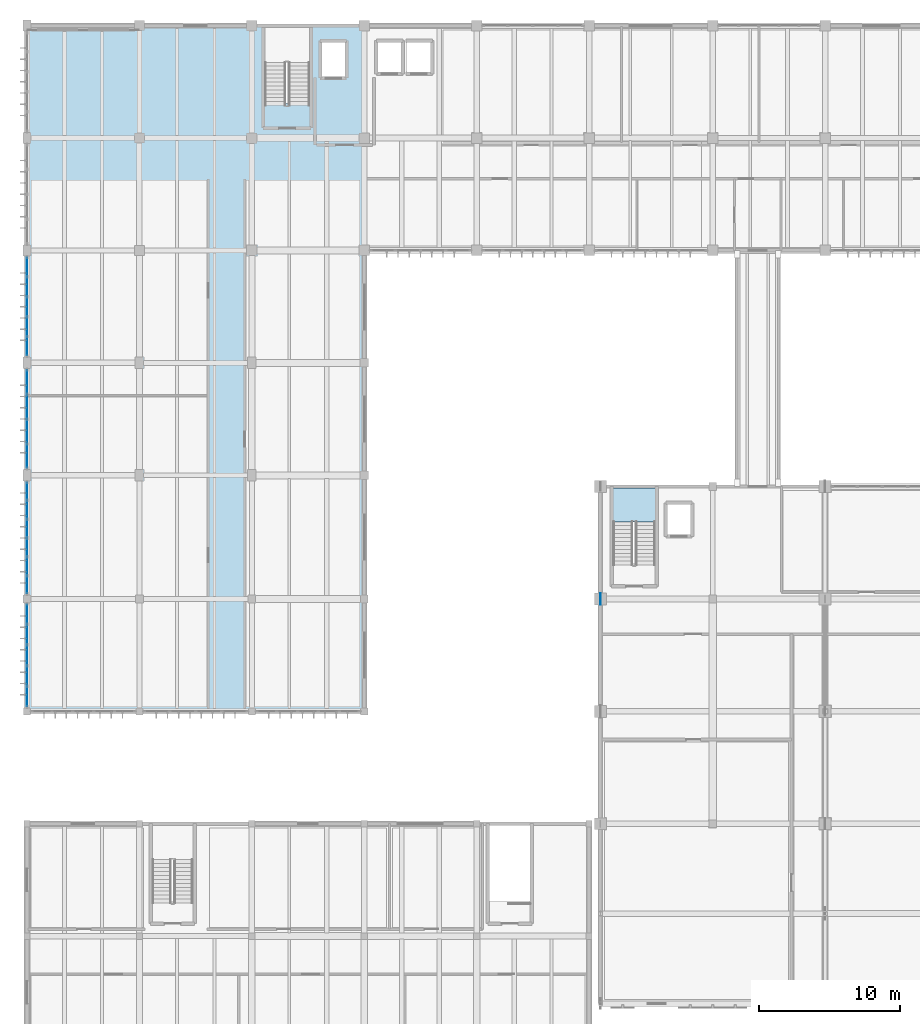
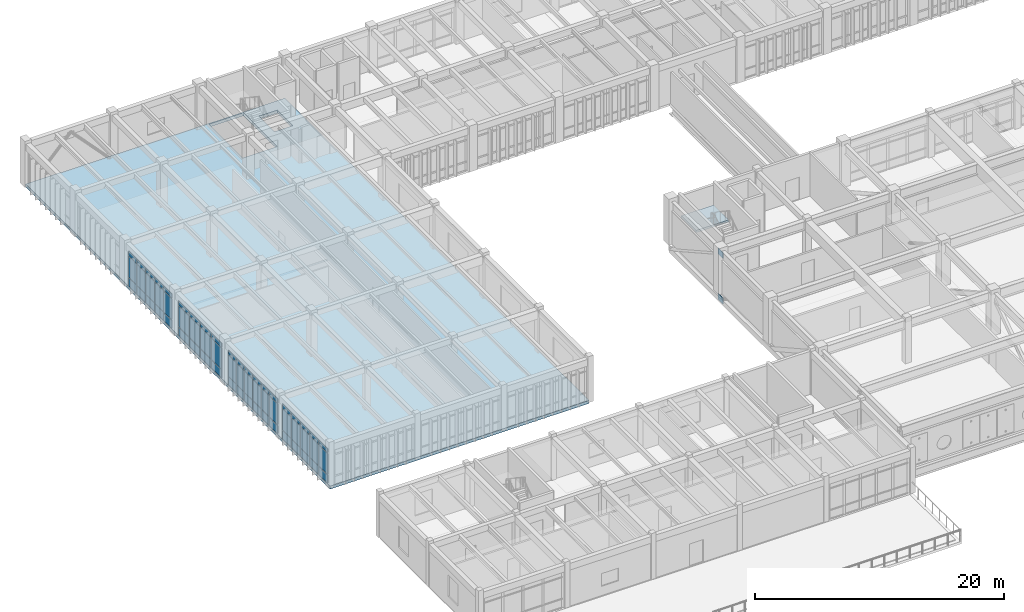
# One storey, part 36 of 79: 62 plates, 2 slabs, 5 elements without a shape of their own.
"""IFC4 building model written with IfcOpenShell, lengths in metres."""

from ifc_helpers import new_model, si_unit, direction, frame, origin, origin_2d, place, context, subcontext, project, spatial, polyline, rectangle, outline, extrude, material, layer, layer_set, type_object, element, aggregate, save


model = new_model("IFC4")

# Units and contexts
model_context = context("Model", 3, precision=1e-05, world=origin(), true_north=direction((0.0, 1.0)))
body_context = subcontext(model_context, "Body", "Model", "MODEL_VIEW")
ifc_project = project(units=[si_unit("LENGTHUNIT", "METRE"), si_unit("AREAUNIT", "SQUARE_METRE"), si_unit("VOLUMEUNIT", "CUBIC_METRE"), si_unit("PLANEANGLEUNIT", "RADIAN"), si_unit("MASSUNIT", "GRAM", prefix="KILO")], contexts=[model_context])

# Site, building, storey
site_placement = place(None, origin())
site = spatial("IfcSite", under=ifc_project, at=site_placement, CompositionType="ELEMENT")
building_placement = place(site_placement, origin())
building = spatial("IfcBuilding", under=site, at=building_placement, Name="Tlaxcora Railside Police Headquarters", CompositionType="ELEMENT")
storey_placement = place(building_placement, frame((0.0, 0.0, 9.0)))
storey = spatial("IfcBuildingStorey", under=building, at=storey_placement, Name="L02", CompositionType="ELEMENT", Elevation=9.0)

# Curtain wall, plates
ifc_material_1 = material(Name="Thermally broken low-E insulated glazing", Category="glass")
curtain_wall_type_1 = type_object("IfcCurtainWallType", Name="Unitised Curtain Wall Assembly CW-23", PredefinedType="NOTDEFINED", material=ifc_material_1)
curtain_wall_1_placement = place(storey_placement, origin())
curtain_wall_1 = element("IfcCurtainWall", 1, at=curtain_wall_1_placement, inside=storey, type_object=curtain_wall_type_1, Name="V5 L02 curtain wall 68", PredefinedType="NOTDEFINED")
ifc_layer_1 = layer(ifc_material_1, 0.0400390625, Name="Thermally broken low-E insulated glazing")
ifc_layer_set_1 = layer_set([ifc_layer_1], Name="Thermally broken low-E insulated glazing")
plate_type_1 = type_object("IfcPlateType", Name="Curtain Wall Infill Panel CW-17", PredefinedType="CURTAIN_PANEL", material=ifc_layer_set_1)
plate_1_placement = place(storey_placement, frame((5.199951171875, 59.6611328125, 0.080078125), z_axis=(0.0, 0.0, 1.0), x_axis=(0.0, -1.0, 0.0)))
plate_1 = element("IfcPlate", 2, at=plate_1_placement, type_object=plate_type_1, Name="CW panel 1.1", PredefinedType="CURTAIN_PANEL", context=body_context, shape_type="SweptSolid", body=[
    extrude(rectangle(XDim=1.217529296875, YDim=0.0400390625, at=origin_2d()), origin(), (0.0, 0.0, 1.0), 0.780029296875),
])
plate_2_placement = place(storey_placement, frame((5.199951171875, 59.6611328125, 0.93994140625), z_axis=(0.0, 0.0, 1.0), x_axis=(0.0, -1.0, 0.0)))
plate_2 = element("IfcPlate", 3, at=plate_2_placement, type_object=plate_type_1, Name="CW panel 1.2", PredefinedType="CURTAIN_PANEL", context=body_context, shape_type="SweptSolid", body=[
    extrude(rectangle(XDim=1.217529296875, YDim=0.0400390625, at=origin_2d()), origin(), (0.0, 0.0, 1.0), 2.0400390625),
])
plate_3_placement = place(storey_placement, frame((5.199951171875, 59.6611328125, 3.06005859375), z_axis=(0.0, 0.0, 1.0), x_axis=(0.0, -1.0, 0.0)))
plate_3 = element("IfcPlate", 4, at=plate_3_placement, type_object=plate_type_1, Name="CW panel 1.3", PredefinedType="CURTAIN_PANEL", context=body_context, shape_type="SweptSolid", body=[
    extrude(rectangle(XDim=1.217529296875, YDim=0.0400390625, at=origin_2d()), origin(), (0.0, 0.0, 1.0), 0.409912109375),
])
plate_4_placement = place(storey_placement, frame((5.199951171875, 58.34375, 0.080078125), z_axis=(0.0, 0.0, 1.0), x_axis=(0.0, -1.0, 0.0)))
plate_4 = element("IfcPlate", 5, at=plate_4_placement, type_object=plate_type_1, Name="CW panel 2.1", PredefinedType="CURTAIN_PANEL", context=body_context, shape_type="SweptSolid", body=[
    extrude(rectangle(XDim=1.257568359375, YDim=0.0400390625, at=origin_2d()), origin(), (0.0, 0.0, 1.0), 0.780029296875),
])
plate_5_placement = place(storey_placement, frame((5.199951171875, 58.34375, 0.93994140625), z_axis=(0.0, 0.0, 1.0), x_axis=(0.0, -1.0, 0.0)))
plate_5 = element("IfcPlate", 6, at=plate_5_placement, type_object=plate_type_1, Name="CW panel 2.2", PredefinedType="CURTAIN_PANEL", context=body_context, shape_type="SweptSolid", body=[
    extrude(rectangle(XDim=1.257568359375, YDim=0.0400390625, at=origin_2d()), origin(), (0.0, 0.0, 1.0), 2.0400390625),
])
plate_6_placement = place(storey_placement, frame((5.199951171875, 58.34375, 3.06005859375), z_axis=(0.0, 0.0, 1.0), x_axis=(0.0, -1.0, 0.0)))
plate_6 = element("IfcPlate", 7, at=plate_6_placement, type_object=plate_type_1, Name="CW panel 2.3", PredefinedType="CURTAIN_PANEL", context=body_context, shape_type="SweptSolid", body=[
    extrude(rectangle(XDim=1.257568359375, YDim=0.0400390625, at=origin_2d()), origin(), (0.0, 0.0, 1.0), 0.409912109375),
])
plate_7_placement = place(storey_placement, frame((5.199951171875, 57.00634765625, 0.080078125), z_axis=(0.0, 0.0, 1.0), x_axis=(0.0, -1.0, 0.0)))
plate_7 = element("IfcPlate", 8, at=plate_7_placement, type_object=plate_type_1, Name="CW panel 3.1", PredefinedType="CURTAIN_PANEL", context=body_context, shape_type="SweptSolid", body=[
    extrude(rectangle(XDim=1.257568359375, YDim=0.0400390625, at=origin_2d()), origin(), (0.0, 0.0, 1.0), 0.780029296875),
])
plate_8_placement = place(storey_placement, frame((5.199951171875, 57.00634765625, 0.93994140625), z_axis=(0.0, 0.0, 1.0), x_axis=(0.0, -1.0, 0.0)))
plate_8 = element("IfcPlate", 9, at=plate_8_placement, type_object=plate_type_1, Name="CW panel 3.2", PredefinedType="CURTAIN_PANEL", context=body_context, shape_type="SweptSolid", body=[
    extrude(rectangle(XDim=1.257568359375, YDim=0.0400390625, at=origin_2d()), origin(), (0.0, 0.0, 1.0), 2.0400390625),
])
plate_9_placement = place(storey_placement, frame((5.199951171875, 57.00634765625, 3.06005859375), z_axis=(0.0, 0.0, 1.0), x_axis=(0.0, -1.0, 0.0)))
plate_9 = element("IfcPlate", 10, at=plate_9_placement, type_object=plate_type_1, Name="CW panel 3.3", PredefinedType="CURTAIN_PANEL", context=body_context, shape_type="SweptSolid", body=[
    extrude(rectangle(XDim=1.257568359375, YDim=0.0400390625, at=origin_2d()), origin(), (0.0, 0.0, 1.0), 0.409912109375),
])
plate_10_placement = place(storey_placement, frame((5.199951171875, 55.668701171875, 0.080078125), z_axis=(0.0, 0.0, 1.0), x_axis=(0.0, -1.0, 0.0)))
plate_10 = element("IfcPlate", 11, at=plate_10_placement, type_object=plate_type_1, Name="CW panel 4.1", PredefinedType="CURTAIN_PANEL", context=body_context, shape_type="SweptSolid", body=[
    extrude(rectangle(XDim=1.257568359375, YDim=0.0400390625, at=origin_2d()), origin(), (0.0, 0.0, 1.0), 0.780029296875),
])
plate_11_placement = place(storey_placement, frame((5.199951171875, 55.668701171875, 0.93994140625), z_axis=(0.0, 0.0, 1.0), x_axis=(0.0, -1.0, 0.0)))
plate_11 = element("IfcPlate", 12, at=plate_11_placement, type_object=plate_type_1, Name="CW panel 4.2", PredefinedType="CURTAIN_PANEL", context=body_context, shape_type="SweptSolid", body=[
    extrude(rectangle(XDim=1.257568359375, YDim=0.0400390625, at=origin_2d()), origin(), (0.0, 0.0, 1.0), 2.0400390625),
])
plate_12_placement = place(storey_placement, frame((5.199951171875, 55.668701171875, 3.06005859375), z_axis=(0.0, 0.0, 1.0), x_axis=(0.0, -1.0, 0.0)))
plate_12 = element("IfcPlate", 13, at=plate_12_placement, type_object=plate_type_1, Name="CW panel 4.3", PredefinedType="CURTAIN_PANEL", context=body_context, shape_type="SweptSolid", body=[
    extrude(rectangle(XDim=1.257568359375, YDim=0.0400390625, at=origin_2d()), origin(), (0.0, 0.0, 1.0), 0.409912109375),
])
plate_13_placement = place(storey_placement, frame((5.199951171875, 54.331298828125, 0.080078125), z_axis=(0.0, 0.0, 1.0), x_axis=(0.0, -1.0, 0.0)))
plate_13 = element("IfcPlate", 14, at=plate_13_placement, type_object=plate_type_1, Name="CW panel 5.1", PredefinedType="CURTAIN_PANEL", context=body_context, shape_type="SweptSolid", body=[
    extrude(rectangle(XDim=1.257568359375, YDim=0.0400390625, at=origin_2d()), origin(), (0.0, 0.0, 1.0), 0.780029296875),
])
plate_14_placement = place(storey_placement, frame((5.199951171875, 54.331298828125, 0.93994140625), z_axis=(0.0, 0.0, 1.0), x_axis=(0.0, -1.0, 0.0)))
plate_14 = element("IfcPlate", 15, at=plate_14_placement, type_object=plate_type_1, Name="CW panel 5.2", PredefinedType="CURTAIN_PANEL", context=body_context, shape_type="SweptSolid", body=[
    extrude(rectangle(XDim=1.257568359375, YDim=0.0400390625, at=origin_2d()), origin(), (0.0, 0.0, 1.0), 2.0400390625),
])
plate_15_placement = place(storey_placement, frame((5.199951171875, 54.331298828125, 3.06005859375), z_axis=(0.0, 0.0, 1.0), x_axis=(0.0, -1.0, 0.0)))
plate_15 = element("IfcPlate", 16, at=plate_15_placement, type_object=plate_type_1, Name="CW panel 5.3", PredefinedType="CURTAIN_PANEL", context=body_context, shape_type="SweptSolid", body=[
    extrude(rectangle(XDim=1.257568359375, YDim=0.0400390625, at=origin_2d()), origin(), (0.0, 0.0, 1.0), 0.409912109375),
])
plate_16_placement = place(storey_placement, frame((5.199951171875, 53.013671875, 0.080078125), z_axis=(0.0, 0.0, 1.0), x_axis=(0.0, -1.0, 0.0)))
plate_16 = element("IfcPlate", 17, at=plate_16_placement, type_object=plate_type_1, Name="CW panel 6.1", PredefinedType="CURTAIN_PANEL", context=body_context, shape_type="SweptSolid", body=[
    extrude(rectangle(XDim=1.217529296875, YDim=0.0400390625, at=origin_2d()), origin(), (0.0, 0.0, 1.0), 0.780029296875),
])
plate_17_placement = place(storey_placement, frame((5.199951171875, 53.013671875, 0.93994140625), z_axis=(0.0, 0.0, 1.0), x_axis=(0.0, -1.0, 0.0)))
plate_17 = element("IfcPlate", 18, at=plate_17_placement, type_object=plate_type_1, Name="CW panel 6.2", PredefinedType="CURTAIN_PANEL", context=body_context, shape_type="SweptSolid", body=[
    extrude(rectangle(XDim=1.217529296875, YDim=0.0400390625, at=origin_2d()), origin(), (0.0, 0.0, 1.0), 2.0400390625),
])
plate_18_placement = place(storey_placement, frame((5.199951171875, 53.013671875, 3.06005859375), z_axis=(0.0, 0.0, 1.0), x_axis=(0.0, -1.0, 0.0)))
plate_18 = element("IfcPlate", 19, at=plate_18_placement, type_object=plate_type_1, Name="CW panel 6.3", PredefinedType="CURTAIN_PANEL", context=body_context, shape_type="SweptSolid", body=[
    extrude(rectangle(XDim=1.217529296875, YDim=0.0400390625, at=origin_2d()), origin(), (0.0, 0.0, 1.0), 0.409912109375),
])
aggregate(curtain_wall_1, [plate_1, plate_2, plate_3, plate_4, plate_5, plate_6, plate_7, plate_8, plate_9, plate_10, plate_11, plate_12, plate_13, plate_14, plate_15, plate_16, plate_17, plate_18])

curtain_wall_type_2 = type_object("IfcCurtainWallType", Name="Unitised Curtain Wall Assembly CW-15", PredefinedType="NOTDEFINED", material=ifc_material_1)
curtain_wall_2_placement = place(storey_placement, origin())
curtain_wall_2 = element("IfcCurtainWall", 20, at=curtain_wall_2_placement, inside=storey, type_object=curtain_wall_type_2, Name="V5 L02 curtain wall 66", PredefinedType="NOTDEFINED")
ifc_layer_2 = layer(ifc_material_1, 0.031982421875, Name="Thermally broken low-E insulated glazing")
ifc_layer_set_2 = layer_set([ifc_layer_2], Name="Thermally broken low-E insulated glazing")
plate_type_2 = type_object("IfcPlateType", Name="Curtain Wall Infill Panel CW-41", PredefinedType="CURTAIN_PANEL", material=ifc_layer_set_2)
plate_19_placement = place(storey_placement, frame((5.199951171875, 75.621337890625, 0.074951171875), z_axis=(0.0, 0.0, 1.0), x_axis=(0.0, -1.0, 0.0)))
plate_19 = element("IfcPlate", 21, at=plate_19_placement, type_object=plate_type_2, Name="CW panel 1.1", PredefinedType="CURTAIN_PANEL", context=body_context, shape_type="SweptSolid", body=[
    extrude(rectangle(XDim=1.3076171875, YDim=0.031982421875, at=origin_2d()), origin(), (0.0, 0.0, 1.0), 0.78759765625),
])
plate_20_placement = place(storey_placement, frame((5.199951171875, 75.621337890625, 0.9375), z_axis=(0.0, 0.0, 1.0), x_axis=(0.0, -1.0, 0.0)))
plate_20 = element("IfcPlate", 22, at=plate_20_placement, type_object=plate_type_2, Name="CW panel 1.2", PredefinedType="CURTAIN_PANEL", context=body_context, shape_type="SweptSolid", body=[
    extrude(rectangle(XDim=1.3076171875, YDim=0.031982421875, at=origin_2d()), origin(), (0.0, 0.0, 1.0), 2.044921875),
])
plate_21_placement = place(storey_placement, frame((5.199951171875, 75.621337890625, 3.0576171875), z_axis=(0.0, 0.0, 1.0), x_axis=(0.0, -1.0, 0.0)))
plate_21 = element("IfcPlate", 23, at=plate_21_placement, type_object=plate_type_2, Name="CW panel 1.3", PredefinedType="CURTAIN_PANEL", context=body_context, shape_type="SweptSolid", body=[
    extrude(rectangle(XDim=1.3076171875, YDim=0.031982421875, at=origin_2d()), origin(), (0.0, 0.0, 1.0), 0.41748046875),
])
plate_22_placement = place(storey_placement, frame((5.199951171875, 74.219970703125, 0.074951171875), z_axis=(0.0, 0.0, 1.0), x_axis=(0.0, -1.0, 0.0)))
plate_22 = element("IfcPlate", 24, at=plate_22_placement, type_object=plate_type_2, Name="CW panel 2.1", PredefinedType="CURTAIN_PANEL", context=body_context, shape_type="SweptSolid", body=[
    extrude(rectangle(XDim=1.344970703125, YDim=0.031982421875, at=origin_2d()), origin(), (0.0, 0.0, 1.0), 0.78759765625),
])
plate_23_placement = place(storey_placement, frame((5.199951171875, 74.219970703125, 0.9375), z_axis=(0.0, 0.0, 1.0), x_axis=(0.0, -1.0, 0.0)))
plate_23 = element("IfcPlate", 25, at=plate_23_placement, type_object=plate_type_2, Name="CW panel 2.2", PredefinedType="CURTAIN_PANEL", context=body_context, shape_type="SweptSolid", body=[
    extrude(rectangle(XDim=1.344970703125, YDim=0.031982421875, at=origin_2d()), origin(), (0.0, 0.0, 1.0), 2.044921875),
])
plate_24_placement = place(storey_placement, frame((5.199951171875, 74.219970703125, 3.0576171875), z_axis=(0.0, 0.0, 1.0), x_axis=(0.0, -1.0, 0.0)))
plate_24 = element("IfcPlate", 26, at=plate_24_placement, type_object=plate_type_2, Name="CW panel 2.3", PredefinedType="CURTAIN_PANEL", context=body_context, shape_type="SweptSolid", body=[
    extrude(rectangle(XDim=1.344970703125, YDim=0.031982421875, at=origin_2d()), origin(), (0.0, 0.0, 1.0), 0.41748046875),
])
plate_25_placement = place(storey_placement, frame((5.199951171875, 72.800048828125, 0.074951171875), z_axis=(0.0, 0.0, 1.0), x_axis=(0.0, -1.0, 0.0)))
plate_25 = element("IfcPlate", 27, at=plate_25_placement, type_object=plate_type_2, Name="CW panel 3.1", PredefinedType="CURTAIN_PANEL", context=body_context, shape_type="SweptSolid", body=[
    extrude(rectangle(XDim=1.344970703125, YDim=0.031982421875, at=origin_2d()), origin(), (0.0, 0.0, 1.0), 0.78759765625),
])
plate_26_placement = place(storey_placement, frame((5.199951171875, 72.800048828125, 0.9375), z_axis=(0.0, 0.0, 1.0), x_axis=(0.0, -1.0, 0.0)))
plate_26 = element("IfcPlate", 28, at=plate_26_placement, type_object=plate_type_2, Name="CW panel 3.2", PredefinedType="CURTAIN_PANEL", context=body_context, shape_type="SweptSolid", body=[
    extrude(rectangle(XDim=1.344970703125, YDim=0.031982421875, at=origin_2d()), origin(), (0.0, 0.0, 1.0), 2.044921875),
])
plate_27_placement = place(storey_placement, frame((5.199951171875, 72.800048828125, 3.0576171875), z_axis=(0.0, 0.0, 1.0), x_axis=(0.0, -1.0, 0.0)))
plate_27 = element("IfcPlate", 29, at=plate_27_placement, type_object=plate_type_2, Name="CW panel 3.3", PredefinedType="CURTAIN_PANEL", context=body_context, shape_type="SweptSolid", body=[
    extrude(rectangle(XDim=1.344970703125, YDim=0.031982421875, at=origin_2d()), origin(), (0.0, 0.0, 1.0), 0.41748046875),
])
plate_28_placement = place(storey_placement, frame((5.199951171875, 71.3798828125, 0.074951171875), z_axis=(0.0, 0.0, 1.0), x_axis=(0.0, -1.0, 0.0)))
plate_28 = element("IfcPlate", 30, at=plate_28_placement, type_object=plate_type_2, Name="CW panel 4.1", PredefinedType="CURTAIN_PANEL", context=body_context, shape_type="SweptSolid", body=[
    extrude(rectangle(XDim=1.344970703125, YDim=0.031982421875, at=origin_2d()), origin(), (0.0, 0.0, 1.0), 0.78759765625),
])
plate_29_placement = place(storey_placement, frame((5.199951171875, 71.3798828125, 0.9375), z_axis=(0.0, 0.0, 1.0), x_axis=(0.0, -1.0, 0.0)))
plate_29 = element("IfcPlate", 31, at=plate_29_placement, type_object=plate_type_2, Name="CW panel 4.2", PredefinedType="CURTAIN_PANEL", context=body_context, shape_type="SweptSolid", body=[
    extrude(rectangle(XDim=1.344970703125, YDim=0.031982421875, at=origin_2d()), origin(), (0.0, 0.0, 1.0), 2.044921875),
])
plate_30_placement = place(storey_placement, frame((5.199951171875, 71.3798828125, 3.0576171875), z_axis=(0.0, 0.0, 1.0), x_axis=(0.0, -1.0, 0.0)))
plate_30 = element("IfcPlate", 32, at=plate_30_placement, type_object=plate_type_2, Name="CW panel 4.3", PredefinedType="CURTAIN_PANEL", context=body_context, shape_type="SweptSolid", body=[
    extrude(rectangle(XDim=1.344970703125, YDim=0.031982421875, at=origin_2d()), origin(), (0.0, 0.0, 1.0), 0.41748046875),
])
plate_31_placement = place(storey_placement, frame((5.199951171875, 69.978759765625, 0.074951171875), z_axis=(0.0, 0.0, 1.0), x_axis=(0.0, -1.0, 0.0)))
plate_31 = element("IfcPlate", 33, at=plate_31_placement, type_object=plate_type_2, Name="CW panel 5.1", PredefinedType="CURTAIN_PANEL", context=body_context, shape_type="SweptSolid", body=[
    extrude(rectangle(XDim=1.3076171875, YDim=0.031982421875, at=origin_2d()), origin(), (0.0, 0.0, 1.0), 0.78759765625),
])
plate_32_placement = place(storey_placement, frame((5.199951171875, 69.978759765625, 0.9375), z_axis=(0.0, 0.0, 1.0), x_axis=(0.0, -1.0, 0.0)))
plate_32 = element("IfcPlate", 34, at=plate_32_placement, type_object=plate_type_2, Name="CW panel 5.2", PredefinedType="CURTAIN_PANEL", context=body_context, shape_type="SweptSolid", body=[
    extrude(rectangle(XDim=1.3076171875, YDim=0.031982421875, at=origin_2d()), origin(), (0.0, 0.0, 1.0), 2.044921875),
])
plate_33_placement = place(storey_placement, frame((5.199951171875, 69.978759765625, 3.0576171875), z_axis=(0.0, 0.0, 1.0), x_axis=(0.0, -1.0, 0.0)))
plate_33 = element("IfcPlate", 35, at=plate_33_placement, type_object=plate_type_2, Name="CW panel 5.3", PredefinedType="CURTAIN_PANEL", context=body_context, shape_type="SweptSolid", body=[
    extrude(rectangle(XDim=1.3076171875, YDim=0.031982421875, at=origin_2d()), origin(), (0.0, 0.0, 1.0), 0.41748046875),
])
aggregate(curtain_wall_2, [plate_19, plate_20, plate_21, plate_22, plate_23, plate_24, plate_25, plate_26, plate_27, plate_28, plate_29, plate_30, plate_31, plate_32, plate_33])

curtain_wall_type_3 = type_object("IfcCurtainWallType", Name="Unitised Curtain Wall Assembly CW-83", PredefinedType="NOTDEFINED", material=ifc_material_1)
curtain_wall_3_placement = place(storey_placement, origin())
curtain_wall_3 = element("IfcCurtainWall", 36, at=curtain_wall_3_placement, inside=storey, type_object=curtain_wall_type_3, Name="V5 L02 curtain wall 67", PredefinedType="NOTDEFINED")
ifc_layer_3 = layer(ifc_material_1, 0.035888671875, Name="Thermally broken low-E insulated glazing")
ifc_layer_set_3 = layer_set([ifc_layer_3], Name="Thermally broken low-E insulated glazing")
plate_type_3 = type_object("IfcPlateType", Name="Curtain Wall Infill Panel CW-72", PredefinedType="CURTAIN_PANEL", material=ifc_layer_set_3)
plate_34_placement = place(storey_placement, frame((5.199951171875, 67.4423828125, 0.080078125), z_axis=(0.0, 0.0, 1.0), x_axis=(0.0, -1.0, 0.0)))
plate_34 = element("IfcPlate", 37, at=plate_34_placement, type_object=plate_type_3, Name="CW panel 1.1", PredefinedType="CURTAIN_PANEL", context=body_context, shape_type="SweptSolid", body=[
    extrude(rectangle(XDim=1.655029296875, YDim=0.035888671875, at=origin_2d()), origin(), (0.0, 0.0, 1.0), 0.780029296875),
])
plate_35_placement = place(storey_placement, frame((5.199951171875, 67.4423828125, 0.93994140625), z_axis=(0.0, 0.0, 1.0), x_axis=(0.0, -1.0, 0.0)))
plate_35 = element("IfcPlate", 38, at=plate_35_placement, type_object=plate_type_3, Name="CW panel 1.2", PredefinedType="CURTAIN_PANEL", context=body_context, shape_type="SweptSolid", body=[
    extrude(rectangle(XDim=1.655029296875, YDim=0.035888671875, at=origin_2d()), origin(), (0.0, 0.0, 1.0), 2.0400390625),
])
plate_36_placement = place(storey_placement, frame((5.199951171875, 67.4423828125, 3.06005859375), z_axis=(0.0, 0.0, 1.0), x_axis=(0.0, -1.0, 0.0)))
plate_36 = element("IfcPlate", 39, at=plate_36_placement, type_object=plate_type_3, Name="CW panel 1.3", PredefinedType="CURTAIN_PANEL", context=body_context, shape_type="SweptSolid", body=[
    extrude(rectangle(XDim=1.655029296875, YDim=0.035888671875, at=origin_2d()), origin(), (0.0, 0.0, 1.0), 0.409912109375),
])
plate_37_placement = place(storey_placement, frame((5.199951171875, 65.6875, 0.080078125), z_axis=(0.0, 0.0, 1.0), x_axis=(0.0, -1.0, 0.0)))
plate_37 = element("IfcPlate", 40, at=plate_37_placement, type_object=plate_type_3, Name="CW panel 2.1", PredefinedType="CURTAIN_PANEL", context=body_context, shape_type="SweptSolid", body=[
    extrude(rectangle(XDim=1.695068359375, YDim=0.035888671875, at=origin_2d()), origin(), (0.0, 0.0, 1.0), 0.780029296875),
])
plate_38_placement = place(storey_placement, frame((5.199951171875, 65.6875, 0.93994140625), z_axis=(0.0, 0.0, 1.0), x_axis=(0.0, -1.0, 0.0)))
plate_38 = element("IfcPlate", 41, at=plate_38_placement, type_object=plate_type_3, Name="CW panel 2.2", PredefinedType="CURTAIN_PANEL", context=body_context, shape_type="SweptSolid", body=[
    extrude(rectangle(XDim=1.695068359375, YDim=0.035888671875, at=origin_2d()), origin(), (0.0, 0.0, 1.0), 2.0400390625),
])
plate_39_placement = place(storey_placement, frame((5.199951171875, 65.6875, 3.06005859375), z_axis=(0.0, 0.0, 1.0), x_axis=(0.0, -1.0, 0.0)))
plate_39 = element("IfcPlate", 42, at=plate_39_placement, type_object=plate_type_3, Name="CW panel 2.3", PredefinedType="CURTAIN_PANEL", context=body_context, shape_type="SweptSolid", body=[
    extrude(rectangle(XDim=1.695068359375, YDim=0.035888671875, at=origin_2d()), origin(), (0.0, 0.0, 1.0), 0.409912109375),
])
plate_40_placement = place(storey_placement, frame((5.199951171875, 63.91259765625, 0.080078125), z_axis=(0.0, 0.0, 1.0), x_axis=(0.0, -1.0, 0.0)))
plate_40 = element("IfcPlate", 43, at=plate_40_placement, type_object=plate_type_3, Name="CW panel 3.1", PredefinedType="CURTAIN_PANEL", context=body_context, shape_type="SweptSolid", body=[
    extrude(rectangle(XDim=1.695068359375, YDim=0.035888671875, at=origin_2d()), origin(), (0.0, 0.0, 1.0), 0.780029296875),
])
plate_41_placement = place(storey_placement, frame((5.199951171875, 63.91259765625, 0.93994140625), z_axis=(0.0, 0.0, 1.0), x_axis=(0.0, -1.0, 0.0)))
plate_41 = element("IfcPlate", 44, at=plate_41_placement, type_object=plate_type_3, Name="CW panel 3.2", PredefinedType="CURTAIN_PANEL", context=body_context, shape_type="SweptSolid", body=[
    extrude(rectangle(XDim=1.695068359375, YDim=0.035888671875, at=origin_2d()), origin(), (0.0, 0.0, 1.0), 2.0400390625),
])
plate_42_placement = place(storey_placement, frame((5.199951171875, 63.91259765625, 3.06005859375), z_axis=(0.0, 0.0, 1.0), x_axis=(0.0, -1.0, 0.0)))
plate_42 = element("IfcPlate", 45, at=plate_42_placement, type_object=plate_type_3, Name="CW panel 3.3", PredefinedType="CURTAIN_PANEL", context=body_context, shape_type="SweptSolid", body=[
    extrude(rectangle(XDim=1.695068359375, YDim=0.035888671875, at=origin_2d()), origin(), (0.0, 0.0, 1.0), 0.409912109375),
])
plate_43_placement = place(storey_placement, frame((5.199951171875, 62.157470703125, 0.080078125), z_axis=(0.0, 0.0, 1.0), x_axis=(0.0, -1.0, 0.0)))
plate_43 = element("IfcPlate", 46, at=plate_43_placement, type_object=plate_type_3, Name="CW panel 4.1", PredefinedType="CURTAIN_PANEL", context=body_context, shape_type="SweptSolid", body=[
    extrude(rectangle(XDim=1.655029296875, YDim=0.035888671875, at=origin_2d()), origin(), (0.0, 0.0, 1.0), 0.780029296875),
])
plate_44_placement = place(storey_placement, frame((5.199951171875, 62.157470703125, 0.93994140625), z_axis=(0.0, 0.0, 1.0), x_axis=(0.0, -1.0, 0.0)))
plate_44 = element("IfcPlate", 47, at=plate_44_placement, type_object=plate_type_3, Name="CW panel 4.2", PredefinedType="CURTAIN_PANEL", context=body_context, shape_type="SweptSolid", body=[
    extrude(rectangle(XDim=1.655029296875, YDim=0.035888671875, at=origin_2d()), origin(), (0.0, 0.0, 1.0), 2.0400390625),
])
plate_45_placement = place(storey_placement, frame((5.199951171875, 62.157470703125, 3.06005859375), z_axis=(0.0, 0.0, 1.0), x_axis=(0.0, -1.0, 0.0)))
plate_45 = element("IfcPlate", 48, at=plate_45_placement, type_object=plate_type_3, Name="CW panel 4.3", PredefinedType="CURTAIN_PANEL", context=body_context, shape_type="SweptSolid", body=[
    extrude(rectangle(XDim=1.655029296875, YDim=0.035888671875, at=origin_2d()), origin(), (0.0, 0.0, 1.0), 0.409912109375),
])
aggregate(curtain_wall_3, [plate_34, plate_35, plate_36, plate_37, plate_38, plate_39, plate_40, plate_41, plate_42, plate_43, plate_44, plate_45])

curtain_wall_type_4 = type_object("IfcCurtainWallType", Name="Unitised Curtain Wall Assembly CW-38", PredefinedType="NOTDEFINED", material=ifc_material_1)
curtain_wall_4_placement = place(storey_placement, origin())
curtain_wall_4 = element("IfcCurtainWall", 49, at=curtain_wall_4_placement, inside=storey, type_object=curtain_wall_type_4, Name="V5 L02 curtain wall 69", PredefinedType="NOTDEFINED")
ifc_layer_4 = layer(ifc_material_1, 0.028076171875, Name="Thermally broken low-E insulated glazing")
ifc_layer_set_4 = layer_set([ifc_layer_4], Name="Thermally broken low-E insulated glazing")
plate_type_4 = type_object("IfcPlateType", Name="Curtain Wall Infill Panel CW-92", PredefinedType="CURTAIN_PANEL", material=ifc_layer_set_4)
plate_46_placement = place(storey_placement, frame((5.199951171875, 50.918701171875, 0.074951171875), z_axis=(0.0, 0.0, 1.0), x_axis=(0.0, -1.0, 0.0)))
plate_46 = element("IfcPlate", 50, at=plate_46_placement, type_object=plate_type_4, Name="CW panel 1.1", PredefinedType="CURTAIN_PANEL", context=body_context, shape_type="SweptSolid", body=[
    extrude(rectangle(XDim=1.362548828125, YDim=0.028076171875, at=origin_2d()), origin(), (0.0, 0.0, 1.0), 0.78759765625),
])
plate_47_placement = place(storey_placement, frame((5.199951171875, 50.918701171875, 0.9375), z_axis=(0.0, 0.0, 1.0), x_axis=(0.0, -1.0, 0.0)))
plate_47 = element("IfcPlate", 51, at=plate_47_placement, type_object=plate_type_4, Name="CW panel 1.2", PredefinedType="CURTAIN_PANEL", context=body_context, shape_type="SweptSolid", body=[
    extrude(rectangle(XDim=1.362548828125, YDim=0.028076171875, at=origin_2d()), origin(), (0.0, 0.0, 1.0), 2.044921875),
])
plate_48_placement = place(storey_placement, frame((5.199951171875, 50.918701171875, 3.0576171875), z_axis=(0.0, 0.0, 1.0), x_axis=(0.0, -1.0, 0.0)))
plate_48 = element("IfcPlate", 52, at=plate_48_placement, type_object=plate_type_4, Name="CW panel 1.3", PredefinedType="CURTAIN_PANEL", context=body_context, shape_type="SweptSolid", body=[
    extrude(rectangle(XDim=1.362548828125, YDim=0.028076171875, at=origin_2d()), origin(), (0.0, 0.0, 1.0), 0.41748046875),
])
plate_49_placement = place(storey_placement, frame((5.199951171875, 49.46240234375, 0.074951171875), z_axis=(0.0, 0.0, 1.0), x_axis=(0.0, -1.0, 0.0)))
plate_49 = element("IfcPlate", 53, at=plate_49_placement, type_object=plate_type_4, Name="CW panel 2.1", PredefinedType="CURTAIN_PANEL", context=body_context, shape_type="SweptSolid", body=[
    extrude(rectangle(XDim=1.39990234375, YDim=0.028076171875, at=origin_2d()), origin(), (0.0, 0.0, 1.0), 0.78759765625),
])
plate_50_placement = place(storey_placement, frame((5.199951171875, 49.46240234375, 0.9375), z_axis=(0.0, 0.0, 1.0), x_axis=(0.0, -1.0, 0.0)))
plate_50 = element("IfcPlate", 54, at=plate_50_placement, type_object=plate_type_4, Name="CW panel 2.2", PredefinedType="CURTAIN_PANEL", context=body_context, shape_type="SweptSolid", body=[
    extrude(rectangle(XDim=1.39990234375, YDim=0.028076171875, at=origin_2d()), origin(), (0.0, 0.0, 1.0), 2.044921875),
])
plate_51_placement = place(storey_placement, frame((5.199951171875, 49.46240234375, 3.0576171875), z_axis=(0.0, 0.0, 1.0), x_axis=(0.0, -1.0, 0.0)))
plate_51 = element("IfcPlate", 55, at=plate_51_placement, type_object=plate_type_4, Name="CW panel 2.3", PredefinedType="CURTAIN_PANEL", context=body_context, shape_type="SweptSolid", body=[
    extrude(rectangle(XDim=1.39990234375, YDim=0.028076171875, at=origin_2d()), origin(), (0.0, 0.0, 1.0), 0.41748046875),
])
plate_52_placement = place(storey_placement, frame((5.199951171875, 47.987548828125, 0.074951171875), z_axis=(0.0, 0.0, 1.0), x_axis=(0.0, -1.0, 0.0)))
plate_52 = element("IfcPlate", 56, at=plate_52_placement, type_object=plate_type_4, Name="CW panel 3.1", PredefinedType="CURTAIN_PANEL", context=body_context, shape_type="SweptSolid", body=[
    extrude(rectangle(XDim=1.39990234375, YDim=0.028076171875, at=origin_2d()), origin(), (0.0, 0.0, 1.0), 0.78759765625),
])
plate_53_placement = place(storey_placement, frame((5.199951171875, 47.987548828125, 0.9375), z_axis=(0.0, 0.0, 1.0), x_axis=(0.0, -1.0, 0.0)))
plate_53 = element("IfcPlate", 57, at=plate_53_placement, type_object=plate_type_4, Name="CW panel 3.2", PredefinedType="CURTAIN_PANEL", context=body_context, shape_type="SweptSolid", body=[
    extrude(rectangle(XDim=1.39990234375, YDim=0.028076171875, at=origin_2d()), origin(), (0.0, 0.0, 1.0), 2.044921875),
])
plate_54_placement = place(storey_placement, frame((5.199951171875, 47.987548828125, 3.0576171875), z_axis=(0.0, 0.0, 1.0), x_axis=(0.0, -1.0, 0.0)))
plate_54 = element("IfcPlate", 58, at=plate_54_placement, type_object=plate_type_4, Name="CW panel 3.3", PredefinedType="CURTAIN_PANEL", context=body_context, shape_type="SweptSolid", body=[
    extrude(rectangle(XDim=1.39990234375, YDim=0.028076171875, at=origin_2d()), origin(), (0.0, 0.0, 1.0), 0.41748046875),
])
plate_55_placement = place(storey_placement, frame((5.199951171875, 46.512451171875, 0.074951171875), z_axis=(0.0, 0.0, 1.0), x_axis=(0.0, -1.0, 0.0)))
plate_55 = element("IfcPlate", 59, at=plate_55_placement, type_object=plate_type_4, Name="CW panel 4.1", PredefinedType="CURTAIN_PANEL", context=body_context, shape_type="SweptSolid", body=[
    extrude(rectangle(XDim=1.39990234375, YDim=0.028076171875, at=origin_2d()), origin(), (0.0, 0.0, 1.0), 0.78759765625),
])
plate_56_placement = place(storey_placement, frame((5.199951171875, 46.512451171875, 0.9375), z_axis=(0.0, 0.0, 1.0), x_axis=(0.0, -1.0, 0.0)))
plate_56 = element("IfcPlate", 60, at=plate_56_placement, type_object=plate_type_4, Name="CW panel 4.2", PredefinedType="CURTAIN_PANEL", context=body_context, shape_type="SweptSolid", body=[
    extrude(rectangle(XDim=1.39990234375, YDim=0.028076171875, at=origin_2d()), origin(), (0.0, 0.0, 1.0), 2.044921875),
])
plate_57_placement = place(storey_placement, frame((5.199951171875, 46.512451171875, 3.0576171875), z_axis=(0.0, 0.0, 1.0), x_axis=(0.0, -1.0, 0.0)))
plate_57 = element("IfcPlate", 61, at=plate_57_placement, type_object=plate_type_4, Name="CW panel 4.3", PredefinedType="CURTAIN_PANEL", context=body_context, shape_type="SweptSolid", body=[
    extrude(rectangle(XDim=1.39990234375, YDim=0.028076171875, at=origin_2d()), origin(), (0.0, 0.0, 1.0), 0.41748046875),
])
plate_58_placement = place(storey_placement, frame((5.199951171875, 45.05615234375, 0.074951171875), z_axis=(0.0, 0.0, 1.0), x_axis=(0.0, -1.0, 0.0)))
plate_58 = element("IfcPlate", 62, at=plate_58_placement, type_object=plate_type_4, Name="CW panel 5.1", PredefinedType="CURTAIN_PANEL", context=body_context, shape_type="SweptSolid", body=[
    extrude(rectangle(XDim=1.362548828125, YDim=0.028076171875, at=origin_2d()), origin(), (0.0, 0.0, 1.0), 0.78759765625),
])
plate_59_placement = place(storey_placement, frame((5.199951171875, 45.05615234375, 0.9375), z_axis=(0.0, 0.0, 1.0), x_axis=(0.0, -1.0, 0.0)))
plate_59 = element("IfcPlate", 63, at=plate_59_placement, type_object=plate_type_4, Name="CW panel 5.2", PredefinedType="CURTAIN_PANEL", context=body_context, shape_type="SweptSolid", body=[
    extrude(rectangle(XDim=1.362548828125, YDim=0.028076171875, at=origin_2d()), origin(), (0.0, 0.0, 1.0), 2.044921875),
])
plate_60_placement = place(storey_placement, frame((5.199951171875, 45.05615234375, 3.0576171875), z_axis=(0.0, 0.0, 1.0), x_axis=(0.0, -1.0, 0.0)))
plate_60 = element("IfcPlate", 64, at=plate_60_placement, type_object=plate_type_4, Name="CW panel 5.3", PredefinedType="CURTAIN_PANEL", context=body_context, shape_type="SweptSolid", body=[
    extrude(rectangle(XDim=1.362548828125, YDim=0.028076171875, at=origin_2d()), origin(), (0.0, 0.0, 1.0), 0.41748046875),
])
aggregate(curtain_wall_4, [plate_46, plate_47, plate_48, plate_49, plate_50, plate_51, plate_52, plate_53, plate_54, plate_55, plate_56, plate_57, plate_58, plate_59, plate_60])

# Stair, slab
ifc_material_2 = material(Name="Concrete C40/50", Category="concrete")
stair_type = type_object("IfcStairType", Name="Half-Turn Dog-Leg Stair ST-58", PredefinedType="HALF_TURN_STAIR", material=ifc_material_2)
stair_placement = place(storey_placement, origin())
stair = element("IfcStair", 65, at=stair_placement, inside=storey, type_object=stair_type, Name="L02 ST4", PredefinedType="HALF_TURN_STAIR")
ifc_material_3 = material(Name="Concrete C35/45", Category="concrete")
ifc_layer_5 = layer(ifc_material_3, 0.199951171875, Name="Concrete C35/45")
ifc_layer_set_5 = layer_set([ifc_layer_5], Name="Concrete C35/45")
slab_type_1 = type_object("IfcSlabType", Name="Stair Landing Slab SL-23", PredefinedType="LANDING", material=ifc_layer_set_5)
slab_1_placement = place(storey_placement, frame((0.0, 0.0, 2.050048828125)))
slab_1 = element("IfcSlab", 66, at=slab_1_placement, type_object=slab_type_1, Name="ST4 landing 1", PredefinedType="LANDING", context=body_context, shape_type="SweptSolid", body=[
    extrude(outline(polyline([(49.909912109375, 57.489990234375), (49.909912109375, 59.889892578125), (46.909912109375, 59.889892578125), (46.909912109375, 57.489990234375), (49.909912109375, 57.489990234375)])), origin(), (0.0, 0.0, 1.0), 0.199951171875),
])
aggregate(stair, [slab_1])

# Plates
ifc_material_4 = material(Name="Steel ASTM A992 Grade 50", Category="steel")
ifc_layer_6 = layer(ifc_material_4, 0.030029296875, Name="Steel ASTM A992 Grade 50")
ifc_layer_set_6 = layer_set([ifc_layer_6], Name="Steel ASTM A992 Grade 50")
plate_type_5 = type_object("IfcPlateType", Name="Structural Gusset or Cap Plate GP-78", PredefinedType="USERDEFINED", material=ifc_layer_set_6)
for number, where, z_axis, x_axis, name in (
    (67, (46.0, 52.0, 3.39990234375), (0.0, 0.0, 1.0), (0.0, 1.0, 0.0), "Truss gusset plate KN-1-1"),
    (68, (46.0, 52.0, -1.070068359375), (0.0, 0.0, 1.0), (0.0, 1.0, 0.0), "Truss bottom-chord gusset plate KNB-1-1"),
):
    element("IfcPlate", number, at=place(storey_placement, frame(where, z_axis=z_axis, x_axis=x_axis)), inside=storey, type_object=plate_type_5, Name=name, ObjectType="GUSSET PLATE", PredefinedType="USERDEFINED", context=body_context, shape_type="SweptSolid", body=[
        extrude(rectangle(XDim=0.800048828125, YDim=0.030029296875, at=origin_2d()), origin(), (0.0, 0.0, 1.0), 0.60009765625),
    ])

# Slab
ifc_layer_7 = layer(ifc_material_3, 0.2900390625, Name="Concrete C35/45")
ifc_layer_set_7 = layer_set([ifc_layer_7], Name="Concrete C35/45")
slab_type_2 = type_object("IfcSlabType", Name="Suspended Floor Slab SL-86", PredefinedType="FLOOR", material=ifc_layer_set_7)
slab_2_placement = place(storey_placement, frame((0.0, 0.0, -0.2900390625)))
element("IfcSlab", 69, at=slab_2_placement, inside=storey, type_object=slab_type_2, Name="V5 L02 floor slab zone 1", PredefinedType="FLOOR", context=body_context, shape_type="SweptSolid", body=[
    extrude(outline(polyline([(5.199951171875, 92.800048828125), (5.199951171875, 44.0), (29.199951171875, 44.0), (29.199951171875, 76.800048828125), (29.199951171875, 92.800048828125), (5.199951171875, 92.800048828125)]), holes=[polyline([(22.110107421875, 92.68994140625), (25.31005859375, 92.68994140625), (25.31005859375, 87.25), (22.110107421875, 87.25), (22.110107421875, 92.68994140625)]), polyline([(27.85009765625, 91.64990234375), (27.85009765625, 89.14990234375), (26.14990234375, 89.14990234375), (26.14990234375, 91.64990234375), (27.85009765625, 91.64990234375)])]), origin(), (0.0, 0.0, 1.0), 0.2900390625),
])

save(model, "model.ifc")
